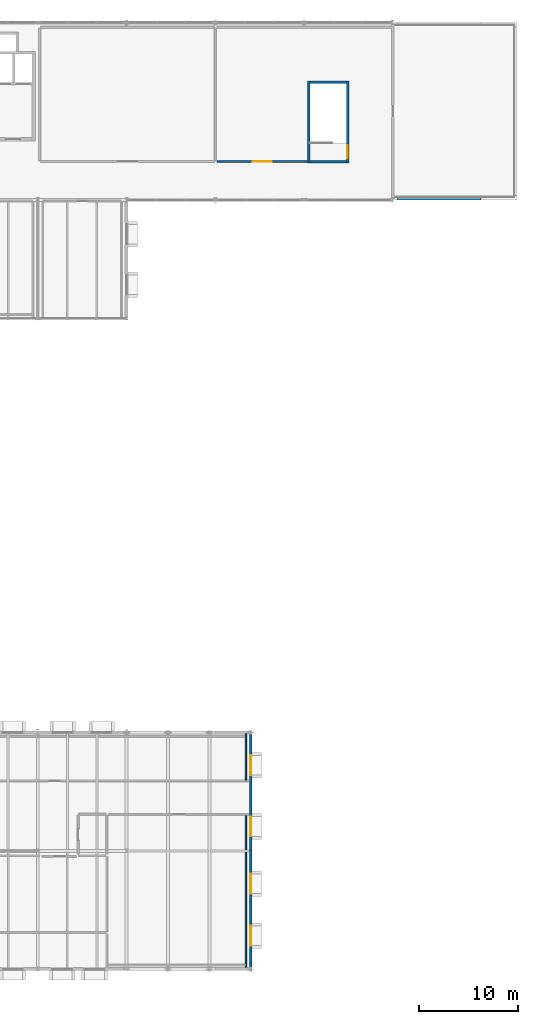
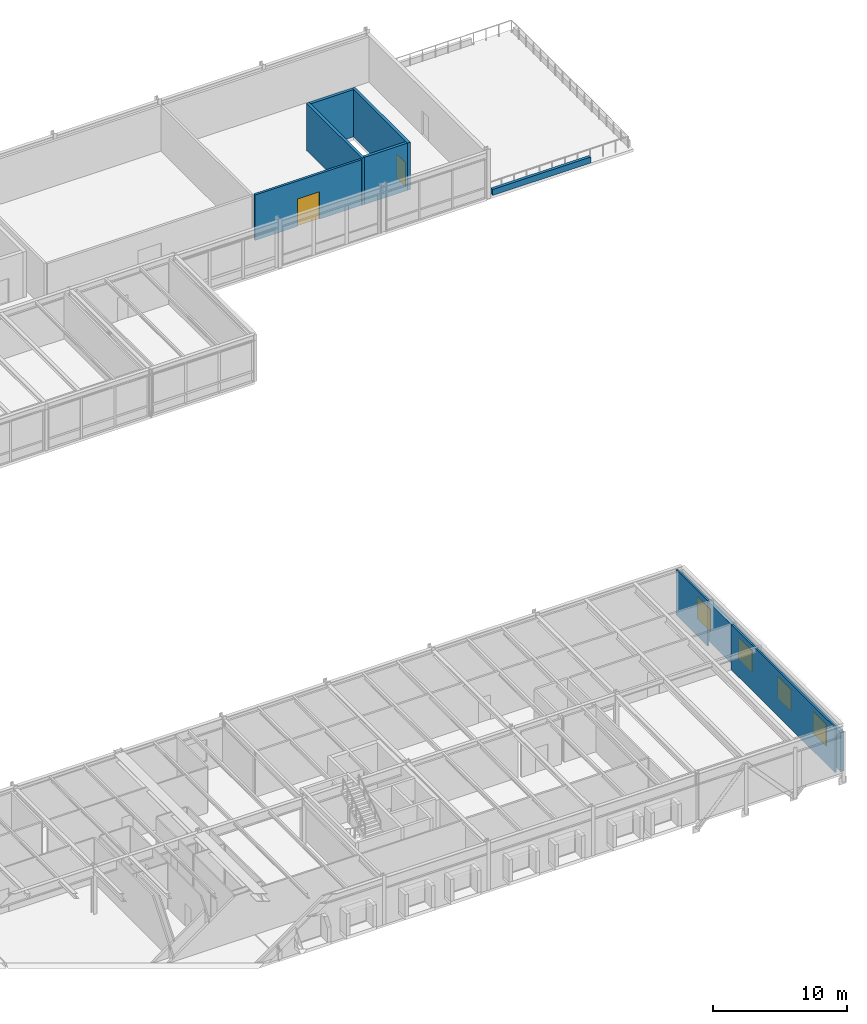
# One storey, part 61 of 67: 10 walls, 4 windows, 2 doors, 6 openings.
"""IFC4 building model written with IfcOpenShell, lengths in metres."""

from ifc_helpers import new_model, si_unit, direction, frame, frame_2d, origin, place, context, subcontext, project, spatial, rectangle, extrude, material, layer, layer_set, type_object, element, fill, save


model = new_model("IFC4")

# Units and contexts
model_context = context("Model", 3, precision=1e-05, world=origin(), true_north=direction((0.0, 1.0)))
body_context = subcontext(model_context, "Body", "Model", "MODEL_VIEW")
ifc_project = project(units=[si_unit("LENGTHUNIT", "METRE"), si_unit("AREAUNIT", "SQUARE_METRE"), si_unit("VOLUMEUNIT", "CUBIC_METRE"), si_unit("PLANEANGLEUNIT", "RADIAN"), si_unit("MASSUNIT", "GRAM", prefix="KILO")], contexts=[model_context])

# Site, building, storey
site_placement = place(None, origin())
site = spatial("IfcSite", under=ifc_project, at=site_placement, CompositionType="ELEMENT")
building_placement = place(site_placement, origin())
building = spatial("IfcBuilding", under=site, at=building_placement, Name="Montelvaro Courts of Justice", CompositionType="ELEMENT")
storey_placement = place(building_placement, frame((0.0, 0.0, 18.89990234375)))
storey = spatial("IfcBuildingStorey", under=building, at=storey_placement, Name="L04", CompositionType="ELEMENT", Elevation=18.89990234375)

# Walls
ifc_material_1 = material(Name="Gypsum board on metal stud")
ifc_layer_1 = layer(ifc_material_1, 0.14990234375)
ifc_layer_set_1 = layer_set([ifc_layer_1], Name="Gypsum board on metal stud")
wall_type_1 = type_object("IfcWallType", Name="ChambersPartition_150", PredefinedType="PARTITIONING", material=ifc_layer_set_1)
wall_1_placement = place(storey_placement, frame((147.10009765625, 23.85498046875, 0.0), z_axis=(0.0, 0.0, 1.0), x_axis=(0.0, -1.0, 0.0)))
element("IfcWall", 1, at=wall_1_placement, inside=storey, type_object=wall_type_1, Name="Interior Partition IW-04 (L04)", PredefinedType="PARTITIONING", context=body_context, shape_type="SweptSolid", body=[
    extrude(rectangle(XDim=4.675048828125, YDim=0.14990234375, at=frame_2d((2.33740234375, 0.0))), origin(), (0.0, 0.0, 1.0), 4.14013671875),
])
wall_2_placement = place(storey_placement, frame((147.10009765625, 15.6298828125, 0.0), z_axis=(0.0, 0.0, 1.0), x_axis=(0.0, -1.0, 0.0)))
element("IfcWall", 2, at=wall_2_placement, inside=storey, type_object=wall_type_1, Name="Interior Partition IW-04 (L04)", PredefinedType="PARTITIONING", context=body_context, shape_type="SweptSolid", body=[
    extrude(rectangle(XDim=15.48486328125, YDim=0.14990234375, at=frame_2d((7.742431640625, 0.0))), origin(), (0.0, 0.0, 1.0), 4.14013671875),
])

# Wall, opening, door
ifc_material_2 = material(Name="Gypsum acoustic double stud with mineral wool")
ifc_layer_2 = layer(ifc_material_2, 0.199951171875)
ifc_layer_set_2 = layer_set([ifc_layer_2], Name="Gypsum acoustic double stud with mineral wool")
wall_type_2 = type_object("IfcWallType", Name="CourtAcousticWall_200", PredefinedType="PARTITIONING", material=ifc_layer_set_2)
wall_3_placement = place(storey_placement, frame((153.364990234375, 81.89990234375, 0.0), z_axis=(0.0, 0.0, 1.0), x_axis=(-1.0, 0.0, 0.0)))
wall_3 = element("IfcWall", 3, at=wall_3_placement, inside=storey, type_object=wall_type_2, Name="Interior Partition IW-01 (L04)", PredefinedType="PARTITIONING", context=body_context, shape_type="SweptSolid", body=[
    extrude(rectangle(XDim=9.18505859375, YDim=0.199951171875, at=frame_2d((4.592529296875, 0.0))), origin(), (0.0, 0.0, 1.0), 4.14013671875),
])
opening_1_placement = place(wall_3_placement, frame((3.64306640625, 0.0, 0.0)))
opening_1 = element("IfcOpeningElement", 4, at=opening_1_placement, cuts=wall_3, Name="Opening D-L04-132", PredefinedType="OPENING", context=body_context, shape_type="SweptSolid", body=[
    extrude(rectangle(XDim=1.89990234375, YDim=2.5, at=frame_2d((0.949951171875, 1.25))), frame((0.0, 0.11474609375, 0.0), z_axis=(0.0, -1.0, 0.0), x_axis=(1.0, 0.0, 0.0)), (0.0, 0.0, 1.0), 0.229736328125),
])
ifc_material_3 = material(Name="Acoustic oak timber veneer", Category="wood")
door_type_1 = type_object("IfcDoorType", Name="CourtDoor_190x250", OperationType="DOUBLE_DOOR_SINGLE_SWING", PredefinedType="DOOR", material=ifc_material_3)
door_1_placement = place(opening_1_placement, origin())
door_1 = element("IfcDoor", 5, at=door_1_placement, inside=storey, type_object=door_type_1, Name="Interior Door D-L04-132 (Social and Labour Courtroom 18)", OperationType="DOUBLE_DOOR_SINGLE_SWING", OverallHeight=2.5, OverallWidth=1.89990234375, PredefinedType="DOOR", context=body_context, shape_type="SweptSolid", body=[
    extrude(rectangle(XDim=1.89990234375, YDim=2.5, at=frame_2d((0.949951171875, 1.25))), frame((0.0, 0.02490234375, 0.0), z_axis=(0.0, -1.0, 0.0), x_axis=(1.0, 0.0, 0.0)), (0.0, 0.0, 1.0), 0.050048828125),
])
fill(opening_1, door_1)

# Wall, openings, windows
ifc_material_4 = material(Name="White mineral precast concrete C45/55", Category="concrete")
ifc_layer_3 = layer(ifc_material_4, 0.300048828125)
ifc_layer_set_3 = layer_set([ifc_layer_3], Name="White mineral precast concrete C45/55")
wall_type_3 = type_object("IfcWallType", Name="ExtWall_GFRC_300", PredefinedType="SOLIDWALL", material=ifc_layer_set_3)
wall_4_placement = place(storey_placement, frame((147.60009765625, 0.0400390625, 0.0), z_axis=(0.0, 0.0, 1.0), x_axis=(0.0, 1.0, 0.0)))
wall_4 = element("IfcWall", 6, at=wall_4_placement, inside=storey, type_object=wall_type_3, Name="Exterior Facade Wall EW-02 (L04)", PredefinedType="SOLIDWALL", context=body_context, shape_type="SweptSolid", body=[
    extrude(rectangle(XDim=11.969970703125, YDim=0.300048828125, at=frame_2d((5.98486328125, 0.0))), origin(), (0.0, 0.0, 1.0), 3.55517578125),
])
opening_2_placement = place(wall_4_placement, frame((2.35205078125, 0.0, 0.85009765625)))
opening_2 = element("IfcOpeningElement", 7, at=opening_2_placement, cuts=wall_4, Name="Opening WE-11", PredefinedType="OPENING", context=body_context, shape_type="SweptSolid", body=[
    extrude(rectangle(XDim=2.0, YDim=2.0, at=frame_2d((1.0, 1.0))), frame((0.0, 0.1650390625, 0.0), z_axis=(0.0, -1.0, 0.0), x_axis=(1.0, 0.0, 0.0)), (0.0, 0.0, 1.0), 0.329833984375),
])
opening_3_placement = place(wall_4_placement, frame((7.617919921875, 0.0, 0.85009765625)))
opening_3 = element("IfcOpeningElement", 8, at=opening_3_placement, cuts=wall_4, Name="Opening WE-11", PredefinedType="OPENING", context=body_context, shape_type="SweptSolid", body=[
    extrude(rectangle(XDim=2.0, YDim=2.0, at=frame_2d((1.0, 1.0))), frame((0.0, 0.1650390625, 0.0), z_axis=(0.0, -1.0, 0.0), x_axis=(1.0, 0.0, 0.0)), (0.0, 0.0, 1.0), 0.329833984375),
])
ifc_material_5 = material(Name="Low-E solar control double glazing", Category="glass")
window_type = type_object("IfcWindowType", Name="Win_Sq_200x200", PartitioningType="SINGLE_PANEL", PredefinedType="WINDOW", material=ifc_material_5)
window_1_placement = place(opening_2_placement, origin())
window_1 = element("IfcWindow", 9, at=window_1_placement, inside=storey, type_object=window_type, Name="Window W-L04-225", OverallHeight=2.0, OverallWidth=2.0, PartitioningType="SINGLE_PANEL", PredefinedType="WINDOW", context=body_context, shape_type="SweptSolid", body=[
    extrude(rectangle(XDim=2.0, YDim=2.0, at=frame_2d((1.0, 1.0))), frame((0.0, 0.030029296875, 0.0), z_axis=(0.0, -1.0, 0.0), x_axis=(1.0, 0.0, 0.0)), (0.0, 0.0, 1.0), 0.06005859375),
])
fill(opening_2, window_1)
window_2_placement = place(opening_3_placement, origin())
window_2 = element("IfcWindow", 10, at=window_2_placement, inside=storey, type_object=window_type, Name="Window W-L04-226", OverallHeight=2.0, OverallWidth=2.0, PartitioningType="SINGLE_PANEL", PredefinedType="WINDOW", context=body_context, shape_type="SweptSolid", body=[
    extrude(rectangle(XDim=2.0, YDim=2.0, at=frame_2d((1.0, 1.0))), frame((0.0, 0.030029296875, 0.0), z_axis=(0.0, -1.0, 0.0), x_axis=(1.0, 0.0, 0.0)), (0.0, 0.0, 1.0), 0.06005859375),
])
fill(opening_3, window_2)

wall_5_placement = place(storey_placement, frame((147.60009765625, 11.989990234375, 0.0), z_axis=(0.0, 0.0, 1.0), x_axis=(0.0, 1.0, 0.0)))
wall_5 = element("IfcWall", 11, at=wall_5_placement, inside=storey, type_object=wall_type_3, Name="Exterior Facade Wall EW-02 (L04)", PredefinedType="SOLIDWALL", context=body_context, shape_type="SweptSolid", body=[
    extrude(rectangle(XDim=12.050048828125, YDim=0.300048828125, at=frame_2d((6.02490234375, 0.0))), origin(), (0.0, 0.0, 1.0), 3.55517578125),
])
opening_4_placement = place(wall_5_placement, frame((1.469970703125, 0.0, 0.85009765625)))
opening_4 = element("IfcOpeningElement", 12, at=opening_4_placement, cuts=wall_5, Name="Opening WE-11", PredefinedType="OPENING", context=body_context, shape_type="SweptSolid", body=[
    extrude(rectangle(XDim=2.0, YDim=2.0, at=frame_2d((1.0, 1.0))), frame((0.0, 0.1650390625, 0.0), z_axis=(0.0, -1.0, 0.0), x_axis=(1.0, 0.0, 0.0)), (0.0, 0.0, 1.0), 0.329833984375),
])
opening_5_placement = place(wall_5_placement, frame((7.676025390625, 0.0, 0.85009765625)))
opening_5 = element("IfcOpeningElement", 13, at=opening_5_placement, cuts=wall_5, Name="Opening WE-11", PredefinedType="OPENING", context=body_context, shape_type="SweptSolid", body=[
    extrude(rectangle(XDim=2.0, YDim=2.0, at=frame_2d((1.0, 1.0))), frame((0.0, 0.1650390625, 0.0), z_axis=(0.0, -1.0, 0.0), x_axis=(1.0, 0.0, 0.0)), (0.0, 0.0, 1.0), 0.329833984375),
])
window_3_placement = place(opening_4_placement, origin())
window_3 = element("IfcWindow", 14, at=window_3_placement, inside=storey, type_object=window_type, Name="Window W-L04-227", OverallHeight=2.0, OverallWidth=2.0, PartitioningType="SINGLE_PANEL", PredefinedType="WINDOW", context=body_context, shape_type="SweptSolid", body=[
    extrude(rectangle(XDim=2.0, YDim=2.0, at=frame_2d((1.0, 1.0))), frame((0.0, 0.030029296875, 0.0), z_axis=(0.0, -1.0, 0.0), x_axis=(1.0, 0.0, 0.0)), (0.0, 0.0, 1.0), 0.06005859375),
])
fill(opening_4, window_3)
window_4_placement = place(opening_5_placement, origin())
window_4 = element("IfcWindow", 15, at=window_4_placement, inside=storey, type_object=window_type, Name="Window W-L04-228", OverallHeight=2.0, OverallWidth=2.0, PartitioningType="SINGLE_PANEL", PredefinedType="WINDOW", context=body_context, shape_type="SweptSolid", body=[
    extrude(rectangle(XDim=2.0, YDim=2.0, at=frame_2d((1.0, 1.0))), frame((0.0, 0.030029296875, 0.0), z_axis=(0.0, -1.0, 0.0), x_axis=(1.0, 0.0, 0.0)), (0.0, 0.0, 1.0), 0.06005859375),
])
fill(opening_5, window_4)

# Walls
ifc_layer_4 = layer(ifc_material_4, 0.239990234375)
ifc_layer_set_4 = layer_set([ifc_layer_4], Name="White mineral precast concrete C45/55")
wall_type_4 = type_object("IfcWallType", Name="ParapetWall_240", PredefinedType="PARAPET", material=ifc_layer_set_4)
wall_6_placement = place(storey_placement, frame((162.4599609375, 78.1201171875, 0.0), z_axis=(0.0, 0.0, 1.0), x_axis=(1.0, 0.0, 0.0)))
element("IfcWall", 16, at=wall_6_placement, inside=storey, type_object=wall_type_4, Name="Roof Parapet PW-01 L04-076", PredefinedType="PARAPET", context=body_context, shape_type="SweptSolid", body=[
    extrude(rectangle(XDim=8.47998046875, YDim=0.239990234375, at=frame_2d((4.239990234375, 0.0))), origin(), (0.0, 0.0, 1.0), 0.550048828125),
])
ifc_material_6 = material(Name="Concrete C35/45", Category="concrete")
ifc_layer_5 = layer(ifc_material_6, 0.239990234375)
ifc_layer_set_5 = layer_set([ifc_layer_5], Name="Concrete C35/45")
wall_type_5 = type_object("IfcWallType", Name="ShaftWall_240", PredefinedType="SHEAR", material=ifc_layer_set_5)
wall_7_placement = place(storey_placement, frame((153.47998046875, 81.760009765625, 0.0), z_axis=(0.0, 0.0, 1.0), x_axis=(0.0, 1.0, 0.0)))
element("IfcWall", 17, at=wall_7_placement, inside=storey, type_object=wall_type_5, Name="Protected Stair Structural Wall ST-V2-W (L04)", PredefinedType="SHEAR", context=body_context, shape_type="SweptSolid", body=[
    extrude(rectangle(XDim=8.280029296875, YDim=0.239990234375, at=frame_2d((4.14013671875, 0.0))), origin(), (0.0, 0.0, 1.0), 4.31005859375),
])

# Wall, opening, door
wall_8_placement = place(storey_placement, frame((157.419921875, 81.760009765625, 0.0), z_axis=(0.0, 0.0, 1.0), x_axis=(0.0, 1.0, 0.0)))
wall_8 = element("IfcWall", 18, at=wall_8_placement, inside=storey, type_object=wall_type_5, Name="Protected Stair Structural Wall ST-V2-E (L04)", PredefinedType="SHEAR", context=body_context, shape_type="SweptSolid", body=[
    extrude(rectangle(XDim=8.280029296875, YDim=0.239990234375, at=frame_2d((4.14013671875, 0.0))), origin(), (0.0, 0.0, 1.0), 4.31005859375),
])
opening_6_placement = place(wall_8_placement, frame((0.489990234375, 0.0, 0.0)))
opening_6 = element("IfcOpeningElement", 19, at=opening_6_placement, cuts=wall_8, Name="Opening DS-L04-SV2", PredefinedType="OPENING", context=body_context, shape_type="SweptSolid", body=[
    extrude(rectangle(XDim=1.300048828125, YDim=2.199951171875, at=frame_2d((0.64990234375, 1.10009765625))), frame((0.0, 0.134765625, 0.0), z_axis=(0.0, -1.0, 0.0), x_axis=(1.0, 0.0, 0.0)), (0.0, 0.0, 1.0), 0.269775390625),
])
ifc_material_7 = material(Name="Galvanised steel S355 security door", Category="steel")
door_type_2 = type_object("IfcDoorType", Name="StairFireDoor_130x220", OperationType="NOTDEFINED", PredefinedType="DOOR", material=ifc_material_7)
door_2_placement = place(opening_6_placement, frame((1.300048828125, 0.0, 0.0), z_axis=(0.0, 0.0, 1.0), x_axis=(-1.0, 0.0, 0.0)))
door_2 = element("IfcDoor", 20, at=door_2_placement, inside=storey, type_object=door_type_2, Name="Protected Stair Fire Door DS-L04-SV2", OperationType="SINGLE_SWING_LEFT", OverallHeight=2.199951171875, OverallWidth=1.300048828125, PredefinedType="DOOR", context=body_context, shape_type="SweptSolid", body=[
    extrude(rectangle(XDim=1.300048828125, YDim=2.199951171875, at=frame_2d((0.64990234375, 1.10009765625))), frame((0.0, 0.02490234375, 0.0), z_axis=(0.0, -1.0, 0.0), x_axis=(1.0, 0.0, 0.0)), (0.0, 0.0, 1.0), 0.050048828125),
])
fill(opening_6, door_2)

# Walls
for number, where, z_axis, x_axis, name in (
    (21, (153.60009765625, 81.8798828125, 0.0), (0.0, 0.0, 1.0), (1.0, 0.0, 0.0), "Protected Stair Structural Wall ST-V2-S (L04)"),
    (22, (153.60009765625, 89.919921875, 0.0), (0.0, 0.0, 1.0), (1.0, 0.0, 0.0), "Protected Stair Structural Wall ST-V2-N (L04)"),
):
    element("IfcWall", number, at=place(storey_placement, frame(where, z_axis=z_axis, x_axis=x_axis)), inside=storey, type_object=wall_type_5, Name=name, PredefinedType="SHEAR", context=body_context, shape_type="SweptSolid", body=[
        extrude(rectangle(XDim=3.699951171875, YDim=0.239990234375, at=frame_2d((1.85009765625, 0.0))), origin(), (0.0, 0.0, 1.0), 4.31005859375),
    ])

save(model, "model.ifc")
